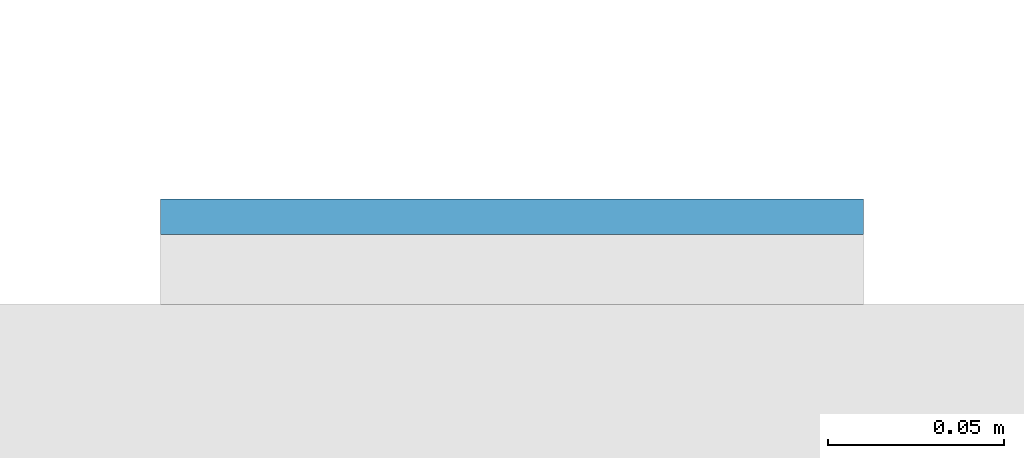
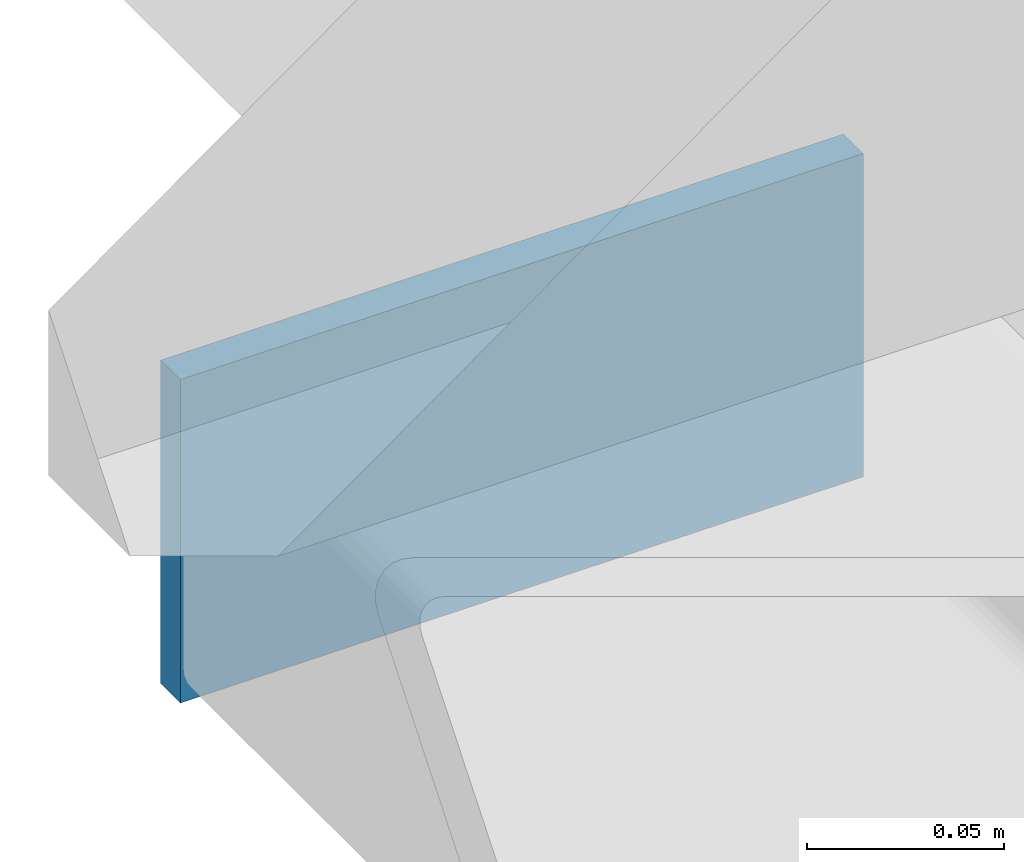
# One storey, part 9 of 20: 1 plate.
"""IFC4 building model written with IfcOpenShell, lengths in metres."""

from ifc_helpers import new_model, si_unit, direction, frame, origin, origin_2d, place, context, subcontext, project, spatial, rectangle, extrude, material, layer, layer_set, type_object, element, save


model = new_model("IFC4")

# Units and contexts
model_context = context("Model", 3, precision=1e-05, world=origin(), true_north=direction((0.0, 1.0)))
body_context = subcontext(model_context, "Body", "Model", "MODEL_VIEW")
ifc_project = project(units=[si_unit("LENGTHUNIT", "METRE"), si_unit("AREAUNIT", "SQUARE_METRE"), si_unit("VOLUMEUNIT", "CUBIC_METRE"), si_unit("PLANEANGLEUNIT", "RADIAN"), si_unit("MASSUNIT", "GRAM", prefix="KILO")], contexts=[model_context])

# Site, building, storey
site_placement = place(None, origin())
site = spatial("IfcSite", under=ifc_project, at=site_placement, CompositionType="ELEMENT")
building_placement = place(site_placement, origin())
building = spatial("IfcBuilding", under=site, at=building_placement, Name="Cleftline Residences", CompositionType="ELEMENT")
storey_placement = place(building_placement, frame((0.0, 0.0, 203.800048828125)))
storey = spatial("IfcBuildingStorey", under=building, at=storey_placement, Name="L53", CompositionType="ELEMENT", Elevation=203.800048828125)

# Plate
ifc_material = material(Name="Steel S355, hot-dip galvanised", Category="steel")
ifc_layer = layer(ifc_material, 0.010009765625)
ifc_layer_set = layer_set([ifc_layer], Name="BAGUETTE CARRIER END PLATE 200X100X10")
plate_type = type_object("IfcPlateType", Name="BAGUETTE CARRIER END PLATE 200X100X10", PredefinedType="USERDEFINED", material=ifc_layer_set)
plate_placement = place(storey_placement, frame((-0.85009765625, 44.304931640625, -0.10009765625), z_axis=(0.0, 0.0, 1.0), x_axis=(-1.0, 0.0, 0.0)))
element("IfcPlate", 1, at=plate_placement, inside=storey, type_object=plate_type, Name="Baguette carrier end plate", ObjectType="BAGUETTE CARRIER END PLATE", PredefinedType="USERDEFINED", context=body_context, shape_type="SweptSolid", body=[
    extrude(rectangle(XDim=0.199951171875, YDim=0.010009765625, at=origin_2d()), origin(), (0.0, 0.0, 1.0), 0.10009765625),
])

save(model, "model.ifc")
